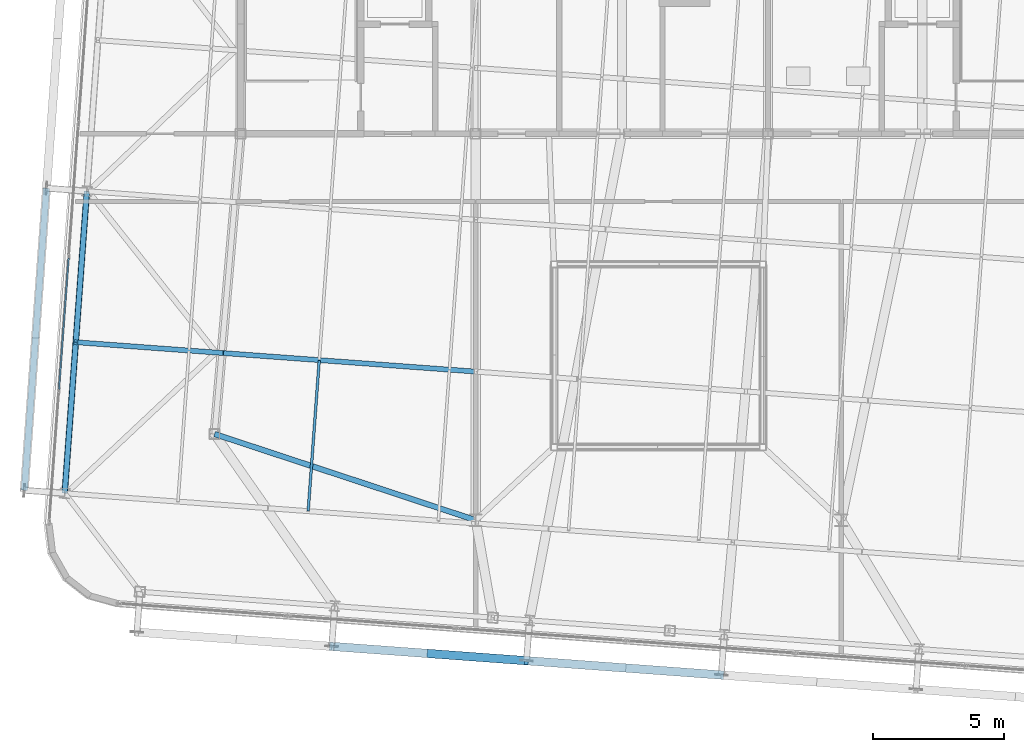
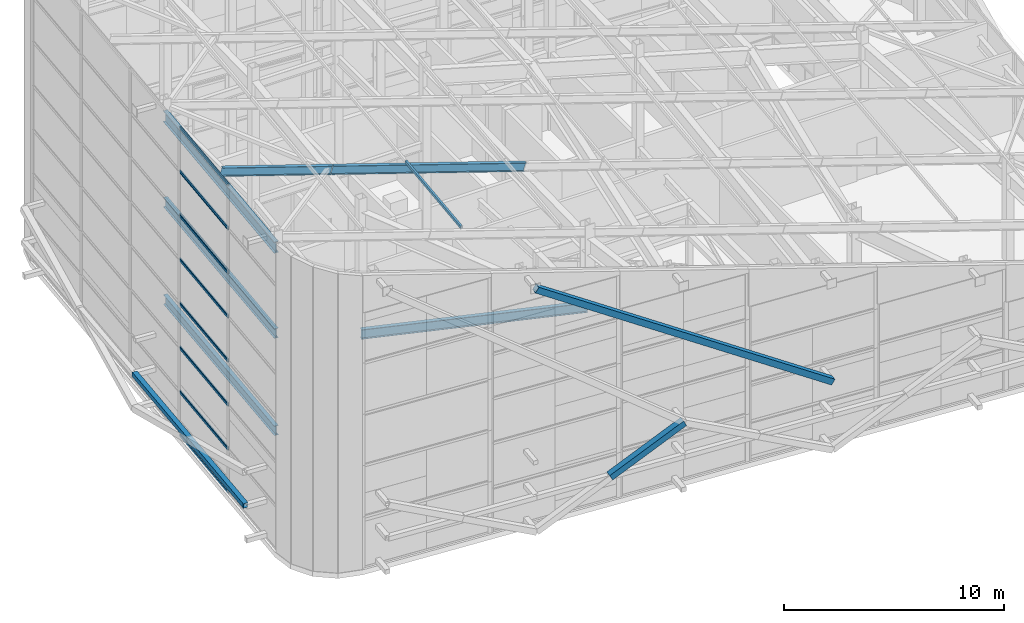
# One storey, part 9 of 56: 20 members, 4 beams, 7 elements without a shape of their own.
"""IFC4 building model written with IfcOpenShell, lengths in metres."""

from ifc_helpers import new_model, si_unit, direction, frame, origin, origin_2d, place, context, subcontext, project, spatial, hollow_rectangle, i_section, extrude, source, transform, mapped, material, layer, layer_set, material_profile, profile_set, type_object, element, aggregate, save


model = new_model("IFC4")

# Units and contexts
model_context = context("Model", 3, precision=1e-05, world=origin(), true_north=direction((0.0, 1.0)))
body_context = subcontext(model_context, "Body", "Model", "MODEL_VIEW")
ifc_project = project(units=[si_unit("LENGTHUNIT", "METRE"), si_unit("AREAUNIT", "SQUARE_METRE"), si_unit("VOLUMEUNIT", "CUBIC_METRE"), si_unit("PLANEANGLEUNIT", "RADIAN"), si_unit("MASSUNIT", "GRAM", prefix="KILO")], contexts=[model_context])

# Site, building, storey
site_placement = place(None, origin())
site = spatial("IfcSite", under=ifc_project, at=site_placement, CompositionType="ELEMENT")
building_placement = place(site_placement, origin())
building = spatial("IfcBuilding", under=site, at=building_placement, Name="Taldren Reach Tower", CompositionType="ELEMENT")
storey_placement = place(building_placement, frame((0.0, 0.0, 253.050048828125)))
storey = spatial("IfcBuildingStorey", under=building, at=storey_placement, Name="L77", CompositionType="ELEMENT", Elevation=253.050048828125)

# Beams
ifc_material_1 = material(Name="Steel Gr 350 (350PLUS)", Category="steel")
ifc_material_profile_1 = material_profile(ifc_material_1, i_section(OverallWidth=0.208984375, OverallDepth=0.532958984375, WebThickness=0.01025390625, FlangeThickness=0.015625, at=origin_2d()), Name="530UB92.4")
ifc_profile_set_1 = profile_set([ifc_material_profile_1], Name="Steel Gr 350 (350PLUS)")
beam_type_1 = type_object("IfcBeamType", Name="BM-UB530A", PredefinedType="BEAM", material=ifc_profile_set_1)
shared_shape_1 = source(origin(), body_context, "Body", "SweptSolid", [
    extrude(i_section(OverallWidth=0.208984375, OverallDepth=0.532958984375, WebThickness=0.01025390625, FlangeThickness=0.015625, at=origin_2d()), origin(), (0.0, 0.0, 1.0), 10.530517578125),
])
beam_1_placement = place(storey_placement, frame((18.0, 12.5, 7.800048828125), z_axis=(0.949627269203, -0.313381635689, 0.0), x_axis=(0.313381635689, 0.949627269203, 0.0)))
element("IfcBeam", 1, at=beam_1_placement, inside=storey, type_object=beam_type_1, Name="Crown interior mega-column lateral tie MC-SW-MC-PJW", PredefinedType="BEAM", context=body_context, shape_type="MappedRepresentation", body=[
    mapped(shared_shape_1, transform((0.0, 0.0, 0.0), scale=1.0)),
])
ifc_material_profile_2 = material_profile(ifc_material_1, i_section(OverallWidth=0.208984375, OverallDepth=0.528076171875, WebThickness=0.009521484375, FlangeThickness=0.01318359375, at=origin_2d()), Name="530UB82.0")
ifc_profile_set_2 = profile_set([ifc_material_profile_2], Name="Steel Gr 350 (350PLUS)")
beam_type_2 = type_object("IfcBeamType", Name="SP-UB530B", PredefinedType="SPANDREL", material=ifc_profile_set_2)
shared_shape_2 = source(origin(), body_context, "Body", "SweptSolid", [
    extrude(i_section(OverallWidth=0.208984375, OverallDepth=0.528076171875, WebThickness=0.009521484375, FlangeThickness=0.01318359375, at=origin_2d()), origin(), (0.0, 0.0, 1.0), 11.60009765625),
])
for number, where, z_axis, x_axis, name in (
    (2, (13.108642578125, 21.80029296875, 5.800048828125), (-0.073242167855, -0.997314185625, 0.0), (0.997314185625, -0.073242167855, 0.0), "Crown perimeter wind girt LO W2-W1"),
    (3, (13.108642578125, 21.80029296875, 11.199951171875), (-0.073242167855, -0.997314185625, 0.0), (0.997314185625, -0.073242167855, 0.0), "Crown perimeter wind girt HI W2-W1"),
):
    element("IfcBeam", number, at=place(storey_placement, frame(where, z_axis=z_axis, x_axis=x_axis)), inside=storey, type_object=beam_type_2, Name=name, PredefinedType="SPANDREL", context=body_context, shape_type="MappedRepresentation", body=[
        mapped(shared_shape_2, transform((0.0, 0.0, 0.0), scale=1.0)),
    ])

# Member
ifc_material_2 = material(Name="Steel Gr 350 (C350L0)", Category="steel")
ifc_material_profile_3 = material_profile(ifc_material_2, hollow_rectangle(XDim=0.25, YDim=0.25, WallThickness=0.010009765625, at=origin_2d()), Name="250x250x10.0SHS")
ifc_profile_set_3 = profile_set([ifc_material_profile_3], Name="Steel Gr 350 (C350L0)")
member_type_1 = type_object("IfcMemberType", Name="MB-POST250", PredefinedType="POST", material=ifc_profile_set_3)
shared_shape_3 = source(origin(), body_context, "Body", "SweptSolid", [
    extrude(hollow_rectangle(XDim=0.25, YDim=0.25, WallThickness=0.010009765625, at=origin_2d()), origin(), (0.0, 0.0, 1.0), 11.60009765625),
])
member_1_placement = place(storey_placement, frame((10.71337890625, 10.344970703125, 2.10986328125), z_axis=(0.073221234109, 0.997315722766, 0.0), x_axis=(-0.997315722766, 0.073221234109, 0.0)))
element("IfcMember", 4, at=member_1_placement, inside=storey, type_object=member_type_1, Name="Exoskeleton mid-height ring chord B5-W1 L77", PredefinedType="POST", context=body_context, shape_type="MappedRepresentation", body=[
    mapped(shared_shape_3, transform((0.0, 0.0, 0.0), scale=1.0)),
])

# Beam
ifc_material_profile_4 = material_profile(ifc_material_1, i_section(OverallWidth=0.22900390625, OverallDepth=0.612060546875, WebThickness=0.011962890625, FlangeThickness=0.01953125, at=origin_2d()), Name="610UB125")
ifc_profile_set_4 = profile_set([ifc_material_profile_4], Name="Steel Gr 350 (350PLUS)")
beam_type_3 = type_object("IfcBeamType", Name="BM-UB610A", PredefinedType="BEAM", material=ifc_profile_set_4)
shared_shape_4 = source(origin(), body_context, "Body", "SweptSolid", [
    extrude(i_section(OverallWidth=0.22900390625, OverallDepth=0.612060546875, WebThickness=0.011962890625, FlangeThickness=0.01953125, at=origin_2d()), origin(), (0.0, 0.0, 1.0), 11.60009765625),
])
beam_2_placement = place(storey_placement, frame((12.259033203125, 10.2314453125, 15.97021484375), z_axis=(0.073242167855, 0.997314185625, 0.0), x_axis=(-0.997314185625, 0.073242167855, 0.0)))
element("IfcBeam", 5, at=beam_2_placement, inside=storey, type_object=beam_type_3, Name="Crown gable header girder W1", PredefinedType="BEAM", context=body_context, shape_type="MappedRepresentation", body=[
    mapped(shared_shape_4, transform((0.0, 0.0, 0.0), scale=1.0)),
])

# Members
ifc_material_profile_5 = material_profile(ifc_material_1, i_section(OverallWidth=0.19091796875, OverallDepth=0.4599609375, WebThickness=0.010009765625, FlangeThickness=0.01611328125, at=origin_2d()), Name="460UB82.1")
ifc_profile_set_5 = profile_set([ifc_material_profile_5], Name="Steel Gr 350 (350PLUS)")
member_type_2 = type_object("IfcMemberType", Name="MB-RAF460", PredefinedType="RAFTER", material=ifc_profile_set_5)
shared_shape_5 = source(origin(), body_context, "Body", "SweptSolid", [
    extrude(i_section(OverallWidth=0.19091796875, OverallDepth=0.4599609375, WebThickness=0.010009765625, FlangeThickness=0.01611328125, at=origin_2d()), origin(), (0.0, 0.0, 1.0), 10.117919921875),
])
member_2_placement = place(storey_placement, frame((27.985107421875, 14.89208984375, 12.14111328125), z_axis=(-0.958703019974, 0.070409126454, 0.27555593698), x_axis=(-0.073244795894, -0.997313992619, 0.0)))
element("IfcMember", 6, at=member_2_placement, inside=storey, type_object=member_type_2, Name="Crown sloped rafter RF-2.6", PredefinedType="RAFTER", context=body_context, shape_type="MappedRepresentation", body=[
    mapped(shared_shape_5, transform((0.0, 0.0, 0.0), scale=1.0)),
])
shared_shape_6 = source(origin(), body_context, "Body", "SweptSolid", [
    extrude(i_section(OverallWidth=0.19091796875, OverallDepth=0.4599609375, WebThickness=0.010009765625, FlangeThickness=0.01611328125, at=origin_2d()), origin(), (0.0, 0.0, 1.0), 5.811279296875),
])
member_3_placement = place(storey_placement, frame((18.255126953125, 15.606689453125, 14.93798828125), z_axis=(-0.958703489966, 0.070411351849, 0.275553733159), x_axis=(-0.073247062778, -0.997313826132, 0.0)))
element("IfcMember", 7, at=member_3_placement, inside=storey, type_object=member_type_2, Name="Crown sloped rafter RF-2.7", PredefinedType="RAFTER", context=body_context, shape_type="MappedRepresentation", body=[
    mapped(shared_shape_6, transform((0.0, 0.0, 0.0), scale=1.0)),
])
ifc_material_profile_6 = material_profile(ifc_material_2, hollow_rectangle(XDim=0.10009765625, YDim=0.14990234375, WallThickness=0.0048828125, at=origin_2d()), Name="150x100x5.0RHS")
ifc_profile_set_6 = profile_set([ifc_material_profile_6], Name="Steel Gr 350 (C350L0)")
member_type_3 = type_object("IfcMemberType", Name="MB-PUR150", PredefinedType="PURLIN", material=ifc_profile_set_6)
shared_shape_7 = source(origin(), body_context, "Body", "SweptSolid", [
    extrude(hollow_rectangle(XDim=0.10009765625, YDim=0.14990234375, WallThickness=0.0048828125, at=origin_2d()), origin(), (0.0, 0.0, 1.0), 5.78515625),
])
member_4_placement = place(storey_placement, frame((21.583984375, 9.546630859375, 14.235107421875), z_axis=(0.07322033234, 0.997315788972, 0.0), x_axis=(-0.997315788972, 0.07322033234, 0.0)))
element("IfcMember", 8, at=member_4_placement, inside=storey, type_object=member_type_3, Name="Crown roof purlin PR-2.1", PredefinedType="PURLIN", context=body_context, shape_type="MappedRepresentation", body=[
    mapped(shared_shape_7, transform((0.0, 0.0, 0.0), scale=1.0)),
])
ifc_material_3 = material(Name="Steel Gr 450 (C450L0)", Category="steel")
ifc_material_profile_7 = material_profile(ifc_material_3, hollow_rectangle(XDim=0.324951171875, YDim=0.324951171875, WallThickness=0.0126953125, at=origin_2d()), Name="325x325x12.7SHS")
ifc_profile_set_7 = profile_set([ifc_material_profile_7], Name="Steel Gr 450 (C450L0)")
member_type_4 = type_object("IfcMemberType", Name="MB-BR324", PredefinedType="BRACE", material=ifc_profile_set_7)
shared_shape_8 = source(origin(), body_context, "Body", "SweptSolid", [
    extrude(hollow_rectangle(XDim=0.324951171875, YDim=0.324951171875, WallThickness=0.0126953125, at=origin_2d()), origin(), (0.0, 0.0, 1.0), 4.1904296875),
])
member_5_placement = place(storey_placement, frame((26.217041015625, 4.0927734375, 2.10986328125), z_axis=(0.890100973194, -0.065368064663, 0.451051298237), x_axis=(0.07324169103, 0.997314220642, 0.0)))
element("IfcMember", 9, at=member_5_placement, inside=storey, type_object=member_type_4, Name="Exoskeleton Diagrid Brace B5-S2 L77", PredefinedType="BRACE", context=body_context, shape_type="MappedRepresentation", body=[
    mapped(shared_shape_8, transform((0.0, 0.0, 0.0), scale=1.0)),
])
shared_shape_9 = source(origin(), body_context, "Body", "SweptSolid", [
    extrude(hollow_rectangle(XDim=0.324951171875, YDim=0.324951171875, WallThickness=0.0126953125, at=origin_2d()), origin(), (0.0, 0.0, 1.0), 17.811279296875),
])
member_6_placement = place(storey_placement, frame((37.406982421875, 3.27099609375, 4.0), z_axis=(-0.83766766002, 0.061517418153, 0.542704798782), x_axis=(-0.07324169103, -0.997314220642, 0.0)))
element("IfcMember", 10, at=member_6_placement, inside=storey, type_object=member_type_4, Name="Slanted Crown Exoskeleton Diagrid Brace S2", PredefinedType="BRACE", context=body_context, shape_type="MappedRepresentation", body=[
    mapped(shared_shape_9, transform((0.0, 0.0, 0.0), scale=1.0)),
])

# Curtain wall, members
ifc_material_4 = material(Name="Aluminium and Low-E Glass Unitised System", Category="aluminium")
ifc_layer = layer(ifc_material_4, 0.159912109375)
ifc_layer_set = layer_set([ifc_layer], Name="Aluminium and Low-E Glass Unitised System")
curtain_wall_type = type_object("IfcCurtainWallType", Name="CW-SYS-8", PredefinedType="NOTDEFINED", material=ifc_layer_set)
curtain_wall_1_placement = place(storey_placement, origin())
curtain_wall_1 = element("IfcCurtainWall", 11, at=curtain_wall_1_placement, inside=storey, type_object=curtain_wall_type, Name="Unitised curtain wall CW8-L77-W", PredefinedType="NOTDEFINED")
ifc_material_5 = material(Name="Anodised Aluminium 6063-T6", Category="aluminium")
ifc_material_profile_8 = material_profile(ifc_material_5, hollow_rectangle(XDim=0.06005859375, YDim=0.135009765625, WallThickness=0.00341796875, at=origin_2d()), Name="ALU-135x60x3.5RHS")
ifc_profile_set_8 = profile_set([ifc_material_profile_8], Name="Anodised Aluminium 6063-T6")
member_type_5 = type_object("IfcMemberType", Name="CW-TRN-150", PredefinedType="USERDEFINED", material=ifc_profile_set_8)
shared_shape_10 = source(origin(), body_context, "Body", "SweptSolid", [
    extrude(hollow_rectangle(XDim=0.06005859375, YDim=0.135009765625, WallThickness=0.00341796875, at=origin_2d()), origin(), (0.0, 0.0, 1.0), 5.045166015625),
])
member_7_placement = place(storey_placement, frame((12.409912109375, 19.2470703125, 0.030029296875), z_axis=(-0.073265615485, -0.997312463367, 0.0), x_axis=(0.997312463367, -0.073265615485, 0.0)))
member_7 = element("IfcMember", 12, at=member_7_placement, type_object=member_type_5, Name="CW-8 transom 4.1", ObjectType="TRANSOM", PredefinedType="USERDEFINED", context=body_context, shape_type="MappedRepresentation", body=[
    mapped(shared_shape_10, transform((0.0, 0.0, 0.0), scale=1.0)),
])
member_8_placement = place(storey_placement, frame((12.409912109375, 19.2470703125, 2.416259765625), z_axis=(-0.073265615485, -0.997312463367, 0.0), x_axis=(0.997312463367, -0.073265615485, 0.0)))
member_8 = element("IfcMember", 13, at=member_8_placement, type_object=member_type_5, Name="CW-8 transom 4.2", ObjectType="TRANSOM", PredefinedType="USERDEFINED", context=body_context, shape_type="MappedRepresentation", body=[
    mapped(shared_shape_10, transform((0.0, 0.0, 0.0), scale=1.0)),
])
aggregate(curtain_wall_1, [member_7, member_8])

curtain_wall_2_placement = place(storey_placement, origin())
curtain_wall_2 = element("IfcCurtainWall", 14, at=curtain_wall_2_placement, inside=storey, type_object=curtain_wall_type, Name="Unitised curtain wall CW8-L77-W-T2", PredefinedType="NOTDEFINED")
member_9_placement = place(storey_placement, frame((12.409912109375, 19.2470703125, 2.476318359375), z_axis=(-0.073265615485, -0.997312463367, 0.0), x_axis=(0.997312463367, -0.073265615485, 0.0)))
member_9 = element("IfcMember", 15, at=member_9_placement, type_object=member_type_5, Name="CW-8 transom 4.1", ObjectType="TRANSOM", PredefinedType="USERDEFINED", context=body_context, shape_type="MappedRepresentation", body=[
    mapped(shared_shape_10, transform((0.0, 0.0, 0.0), scale=1.0)),
])
member_10_placement = place(storey_placement, frame((12.409912109375, 19.2470703125, 4.86279296875), z_axis=(-0.073265615485, -0.997312463367, 0.0), x_axis=(0.997312463367, -0.073265615485, 0.0)))
member_10 = element("IfcMember", 16, at=member_10_placement, type_object=member_type_5, Name="CW-8 transom 4.2", ObjectType="TRANSOM", PredefinedType="USERDEFINED", context=body_context, shape_type="MappedRepresentation", body=[
    mapped(shared_shape_10, transform((0.0, 0.0, 0.0), scale=1.0)),
])
aggregate(curtain_wall_2, [member_9, member_10])

curtain_wall_3_placement = place(storey_placement, origin())
curtain_wall_3 = element("IfcCurtainWall", 17, at=curtain_wall_3_placement, inside=storey, type_object=curtain_wall_type, Name="Unitised curtain wall CW8-L77-W-T3", PredefinedType="NOTDEFINED")
member_11_placement = place(storey_placement, frame((12.409912109375, 19.2470703125, 4.9228515625), z_axis=(-0.073265615485, -0.997312463367, 0.0), x_axis=(0.997312463367, -0.073265615485, 0.0)))
member_11 = element("IfcMember", 18, at=member_11_placement, type_object=member_type_5, Name="CW-8 transom 4.1", ObjectType="TRANSOM", PredefinedType="USERDEFINED", context=body_context, shape_type="MappedRepresentation", body=[
    mapped(shared_shape_10, transform((0.0, 0.0, 0.0), scale=1.0)),
])
member_12_placement = place(storey_placement, frame((12.409912109375, 19.2470703125, 7.30908203125), z_axis=(-0.073265615485, -0.997312463367, 0.0), x_axis=(0.997312463367, -0.073265615485, 0.0)))
member_12 = element("IfcMember", 19, at=member_12_placement, type_object=member_type_5, Name="CW-8 transom 4.2", ObjectType="TRANSOM", PredefinedType="USERDEFINED", context=body_context, shape_type="MappedRepresentation", body=[
    mapped(shared_shape_10, transform((0.0, 0.0, 0.0), scale=1.0)),
])
aggregate(curtain_wall_3, [member_11, member_12])

curtain_wall_4_placement = place(storey_placement, origin())
curtain_wall_4 = element("IfcCurtainWall", 20, at=curtain_wall_4_placement, inside=storey, type_object=curtain_wall_type, Name="Unitised curtain wall CW8-L77-W-T4", PredefinedType="NOTDEFINED")
member_13_placement = place(storey_placement, frame((12.409912109375, 19.2470703125, 7.369140625), z_axis=(-0.073265615485, -0.997312463367, 0.0), x_axis=(0.997312463367, -0.073265615485, 0.0)))
member_13 = element("IfcMember", 21, at=member_13_placement, type_object=member_type_5, Name="CW-8 transom 4.1", ObjectType="TRANSOM", PredefinedType="USERDEFINED", context=body_context, shape_type="MappedRepresentation", body=[
    mapped(shared_shape_10, transform((0.0, 0.0, 0.0), scale=1.0)),
])
member_14_placement = place(storey_placement, frame((12.409912109375, 19.2470703125, 9.755615234375), z_axis=(-0.073265615485, -0.997312463367, 0.0), x_axis=(0.997312463367, -0.073265615485, 0.0)))
member_14 = element("IfcMember", 22, at=member_14_placement, type_object=member_type_5, Name="CW-8 transom 4.2", ObjectType="TRANSOM", PredefinedType="USERDEFINED", context=body_context, shape_type="MappedRepresentation", body=[
    mapped(shared_shape_10, transform((0.0, 0.0, 0.0), scale=1.0)),
])
aggregate(curtain_wall_4, [member_13, member_14])

curtain_wall_5_placement = place(storey_placement, origin())
curtain_wall_5 = element("IfcCurtainWall", 23, at=curtain_wall_5_placement, inside=storey, type_object=curtain_wall_type, Name="Unitised curtain wall CW8-L77-W-T5", PredefinedType="NOTDEFINED")
member_15_placement = place(storey_placement, frame((12.409912109375, 19.2470703125, 9.8154296875), z_axis=(-0.073265615485, -0.997312463367, 0.0), x_axis=(0.997312463367, -0.073265615485, 0.0)))
member_15 = element("IfcMember", 24, at=member_15_placement, type_object=member_type_5, Name="CW-8 transom 4.1", ObjectType="TRANSOM", PredefinedType="USERDEFINED", context=body_context, shape_type="MappedRepresentation", body=[
    mapped(shared_shape_10, transform((0.0, 0.0, 0.0), scale=1.0)),
])
member_16_placement = place(storey_placement, frame((12.409912109375, 19.2470703125, 12.201904296875), z_axis=(-0.073265615485, -0.997312463367, 0.0), x_axis=(0.997312463367, -0.073265615485, 0.0)))
member_16 = element("IfcMember", 25, at=member_16_placement, type_object=member_type_5, Name="CW-8 transom 4.2", ObjectType="TRANSOM", PredefinedType="USERDEFINED", context=body_context, shape_type="MappedRepresentation", body=[
    mapped(shared_shape_10, transform((0.0, 0.0, 0.0), scale=1.0)),
])
aggregate(curtain_wall_5, [member_15, member_16])

curtain_wall_6_placement = place(storey_placement, origin())
curtain_wall_6 = element("IfcCurtainWall", 26, at=curtain_wall_6_placement, inside=storey, type_object=curtain_wall_type, Name="Unitised curtain wall CW8-L77-W-T6", PredefinedType="NOTDEFINED")
member_17_placement = place(storey_placement, frame((12.409912109375, 19.2470703125, 12.261962890625), z_axis=(-0.073265615485, -0.997312463367, 0.0), x_axis=(0.997312463367, -0.073265615485, 0.0)))
member_17 = element("IfcMember", 27, at=member_17_placement, type_object=member_type_5, Name="CW-8 transom 4.1", ObjectType="TRANSOM", PredefinedType="USERDEFINED", context=body_context, shape_type="MappedRepresentation", body=[
    mapped(shared_shape_10, transform((0.0, 0.0, 0.0), scale=1.0)),
])
member_18_placement = place(storey_placement, frame((12.409912109375, 19.2470703125, 14.6484375), z_axis=(-0.073265615485, -0.997312463367, 0.0), x_axis=(0.997312463367, -0.073265615485, 0.0)))
member_18 = element("IfcMember", 28, at=member_18_placement, type_object=member_type_5, Name="CW-8 transom 4.2", ObjectType="TRANSOM", PredefinedType="USERDEFINED", context=body_context, shape_type="MappedRepresentation", body=[
    mapped(shared_shape_10, transform((0.0, 0.0, 0.0), scale=1.0)),
])
aggregate(curtain_wall_6, [member_17, member_18])

curtain_wall_7_placement = place(storey_placement, origin())
curtain_wall_7 = element("IfcCurtainWall", 29, at=curtain_wall_7_placement, inside=storey, type_object=curtain_wall_type, Name="Unitised curtain wall CW8-L77-W-T7", PredefinedType="NOTDEFINED")
member_19_placement = place(storey_placement, frame((12.409912109375, 19.2470703125, 14.708251953125), z_axis=(-0.073265615485, -0.997312463367, 0.0), x_axis=(0.997312463367, -0.073265615485, 0.0)))
member_19 = element("IfcMember", 30, at=member_19_placement, type_object=member_type_5, Name="CW-8 transom 4.1", ObjectType="TRANSOM", PredefinedType="USERDEFINED", context=body_context, shape_type="MappedRepresentation", body=[
    mapped(shared_shape_10, transform((0.0, 0.0, 0.0), scale=1.0)),
])
member_20_placement = place(storey_placement, frame((12.409912109375, 19.2470703125, 17.0947265625), z_axis=(-0.073265615485, -0.997312463367, 0.0), x_axis=(0.997312463367, -0.073265615485, 0.0)))
member_20 = element("IfcMember", 31, at=member_20_placement, type_object=member_type_5, Name="CW-8 transom 4.2", ObjectType="TRANSOM", PredefinedType="USERDEFINED", context=body_context, shape_type="MappedRepresentation", body=[
    mapped(shared_shape_10, transform((0.0, 0.0, 0.0), scale=1.0)),
])
aggregate(curtain_wall_7, [member_19, member_20])

save(model, "model.ifc")
